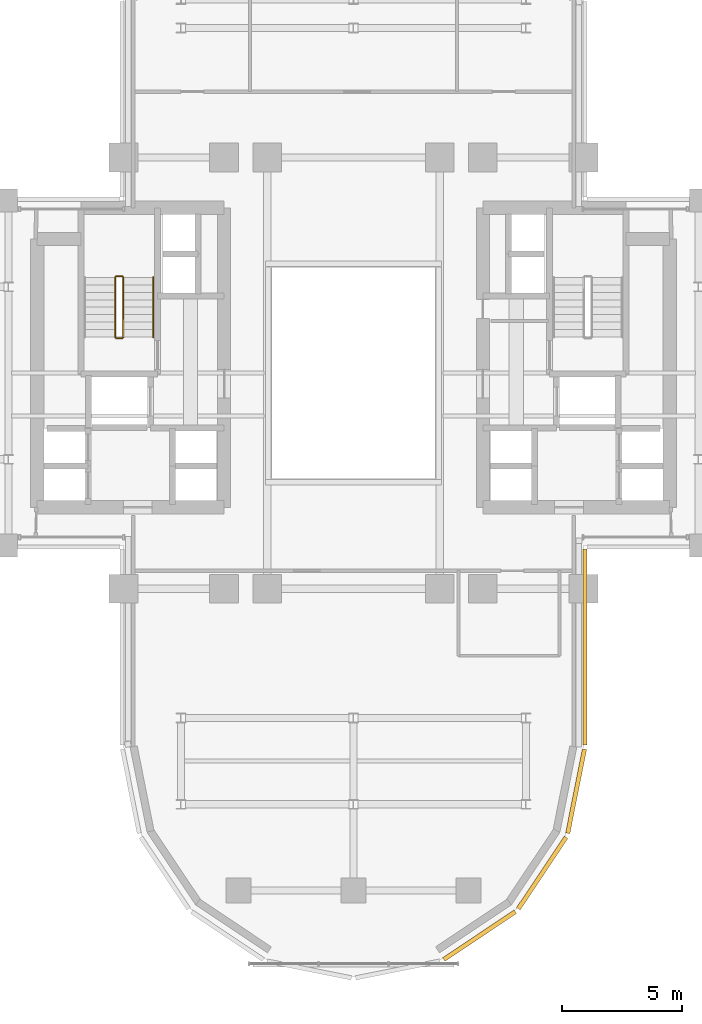
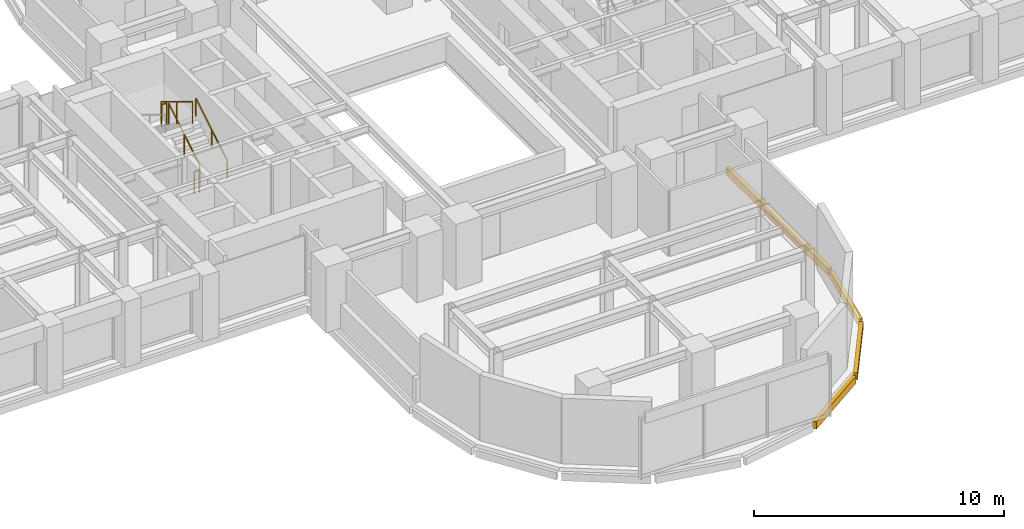
# One storey, part 14 of 16: 5 railings, 4 coverings.
"""IFC4 building model written with IfcOpenShell, lengths in metres."""

from ifc_helpers import new_model, si_unit, direction, frame, origin, origin_2d, place, context, subcontext, project, spatial, rectangle, extrude, source, transform, mapped, material, layer, layer_set, type_object, element, save


model = new_model("IFC4")

# Units and contexts
model_context = context("Model", 3, precision=1e-05, world=origin(), true_north=direction((0.0, 1.0)))
body_context = subcontext(model_context, "Body", "Model", "MODEL_VIEW")
ifc_project = project(units=[si_unit("LENGTHUNIT", "METRE"), si_unit("AREAUNIT", "SQUARE_METRE"), si_unit("VOLUMEUNIT", "CUBIC_METRE"), si_unit("PLANEANGLEUNIT", "RADIAN"), si_unit("MASSUNIT", "GRAM", prefix="KILO")], contexts=[model_context])

# Site, building, storey
site_placement = place(None, origin())
site = spatial("IfcSite", under=ifc_project, at=site_placement, CompositionType="ELEMENT")
building_placement = place(site_placement, origin())
building = spatial("IfcBuilding", under=site, at=building_placement, Name="Keilestroom Media Tower", CompositionType="ELEMENT")
storey_placement = place(building_placement, frame((0.0, 0.0, 61.199951171875)))
storey = spatial("IfcBuildingStorey", under=building, at=storey_placement, Name="L15", CompositionType="ELEMENT", Elevation=61.199951171875)

# Railings
ifc_material_1 = material(Name="Brushed Stainless Steel 1.4301", Category="steel")
railing_type_1 = type_object("IfcRailingType", Name="Stair-Pitch-Handrail-920", PredefinedType="HANDRAIL", material=ifc_material_1)
railing_1_placement = place(storey_placement, frame((-8.35009765625, 1.5, 0.18896484375)))
element("IfcRailing", 1, at=railing_1_placement, inside=storey, type_object=railing_type_1, Name="L15 ST-1 stair handrail 1", PredefinedType="HANDRAIL", context=body_context, shape_type="SweptSolid", body=[
    extrude(rectangle(XDim=0.048095703125, YDim=0.048095703125, at=origin_2d()), frame((0.0, 0.0, 0.8759765625), z_axis=(0.0, 0.855470815493, 0.517851024754), x_axis=(-1.0, 0.0, 0.0)), (0.0, 0.0, 1.0), 2.917724609375),
    extrude(rectangle(XDim=0.0419921875, YDim=0.0419921875, at=origin_2d()), origin(), (0.0, 0.0, 1.0), 0.84375),
    extrude(rectangle(XDim=0.0419921875, YDim=0.0419921875, at=origin_2d()), frame((0.0, 1.248046875, 0.75537109375)), (0.0, 0.0, 1.0), 0.84375),
    extrude(rectangle(XDim=0.0419921875, YDim=0.0419921875, at=origin_2d()), frame((0.0, 2.49609375, 1.510986328125)), (0.0, 0.0, 1.0), 0.84375),
])
ifc_material_2 = material(Name="Painted Steel Balustrade", Category="steel")
railing_type_2 = type_object("IfcRailingType", Name="Stair-Well-And-Landing-Guard-1100", PredefinedType="GUARDRAIL", material=ifc_material_2)
railing_2_placement = place(storey_placement, frame((-9.610107421875, 1.5, 0.18896484375)))
element("IfcRailing", 2, at=railing_2_placement, inside=storey, type_object=railing_type_2, Name="L15 ST-1 stair guard 1", PredefinedType="GUARDRAIL", context=body_context, shape_type="SweptSolid", body=[
    extrude(rectangle(XDim=0.048095703125, YDim=0.048095703125, at=origin_2d()), frame((0.0, 0.0, 1.076171875), z_axis=(0.0, 0.855470815493, 0.517851024754), x_axis=(-1.0, 0.0, 0.0)), (0.0, 0.0, 1.0), 2.917724609375),
    extrude(rectangle(XDim=0.0419921875, YDim=0.0419921875, at=origin_2d()), origin(), (0.0, 0.0, 1.0), 1.0439453125),
    extrude(rectangle(XDim=0.0419921875, YDim=0.0419921875, at=origin_2d()), frame((0.0, 1.248046875, 0.75537109375)), (0.0, 0.0, 1.0), 1.0439453125),
    extrude(rectangle(XDim=0.0419921875, YDim=0.0419921875, at=origin_2d()), frame((0.0, 2.49609375, 1.510986328125)), (0.0, 0.0, 1.0), 1.0439453125),
])
railing_3_placement = place(storey_placement, frame((-9.659912109375, 4.0458984375, 1.699951171875)))
element("IfcRailing", 3, at=railing_3_placement, inside=storey, type_object=railing_type_2, Name="L15 ST-1 stair guard 2", PredefinedType="GUARDRAIL", context=body_context, shape_type="SweptSolid", body=[
    extrude(rectangle(XDim=0.048095703125, YDim=0.048095703125, at=origin_2d()), frame((0.0, 0.0, 1.076171875), z_axis=(-1.0, 0.0, 0.0), x_axis=(0.0, -1.0, 0.0)), (0.0, 0.0, 1.0), 0.239990234375),
    extrude(rectangle(XDim=0.0419921875, YDim=0.0419921875, at=origin_2d()), origin(), (0.0, 0.0, 1.0), 1.0439453125),
    extrude(rectangle(XDim=0.0419921875, YDim=0.0419921875, at=origin_2d()), frame((-0.239990234375, 0.0, 0.0)), (0.0, 0.0, 1.0), 1.0439453125),
])
railing_4_placement = place(storey_placement, frame((-9.949951171875, 3.99609375, 1.888916015625)))
element("IfcRailing", 4, at=railing_4_placement, inside=storey, type_object=railing_type_2, Name="L15 ST-1 stair guard 3", PredefinedType="GUARDRAIL", context=body_context, shape_type="SweptSolid", body=[
    extrude(rectangle(XDim=0.048095703125, YDim=0.048095703125, at=origin_2d()), frame((0.0, 0.0, 1.076171875), z_axis=(0.0, -0.855433747314, 0.517912255074), x_axis=(1.0, 0.0, 0.0)), (0.0, 0.0, 1.0), 2.91796875),
    extrude(rectangle(XDim=0.0419921875, YDim=0.0419921875, at=origin_2d()), origin(), (0.0, 0.0, 1.0), 1.0439453125),
    extrude(rectangle(XDim=0.0419921875, YDim=0.0419921875, at=origin_2d()), frame((0.0, -1.248046875, 0.755615234375)), (0.0, 0.0, 1.0), 1.0439453125),
    extrude(rectangle(XDim=0.0419921875, YDim=0.0419921875, at=origin_2d()), frame((0.0, -2.49609375, 1.51123046875)), (0.0, 0.0, 1.0), 1.0439453125),
])
railing_5_placement = place(storey_placement, frame((-9.659912109375, 1.449951171875, 0.0)))
element("IfcRailing", 5, at=railing_5_placement, inside=storey, type_object=railing_type_2, Name="L15 ST-1 stair guard 4", PredefinedType="GUARDRAIL", context=body_context, shape_type="SweptSolid", body=[
    extrude(rectangle(XDim=0.048095703125, YDim=0.048095703125, at=origin_2d()), frame((0.0, 0.0, 1.076171875), z_axis=(-1.0, 0.0, 0.0), x_axis=(0.0, -1.0, 0.0)), (0.0, 0.0, 1.0), 0.239990234375),
    extrude(rectangle(XDim=0.0419921875, YDim=0.0419921875, at=origin_2d()), origin(), (0.0, 0.0, 1.0), 1.0439453125),
    extrude(rectangle(XDim=0.0419921875, YDim=0.0419921875, at=origin_2d()), frame((-0.239990234375, 0.0, 0.0)), (0.0, 0.0, 1.0), 1.0439453125),
])

# Coverings
ifc_material_3 = material(Name="Precast concrete C40/50", Category="concrete")
ifc_layer = layer(ifc_material_3, 0.1201171875)
ifc_layer_set = layer_set([ifc_layer], Name="Precast concrete C40/50")
covering_type = type_object("IfcCoveringType", Name="Exterior-Precast-Spandrel-Cladding-Panel-120", PredefinedType="CLADDING", material=ifc_layer_set)
shared_shape_1 = source(origin(), body_context, "Body", "SweptSolid", [
    extrude(rectangle(XDim=8.166015625, YDim=0.179931640625, at=origin_2d()), origin(), (0.0, 0.0, 1.0), 0.360107421875),
])
covering_1_placement = place(storey_placement, frame((9.659912109375, -11.43310546875, -0.5400390625), z_axis=(0.0, 0.0, 1.0), x_axis=(0.0, -1.0, 0.0)))
element("IfcCovering", 6, at=covering_1_placement, inside=storey, type_object=covering_type, Name="L15 Precast Slab-Edge Fascia Cornice 06", PredefinedType="CLADDING", context=body_context, shape_type="MappedRepresentation", body=[
    mapped(shared_shape_1, transform((0.0, 0.0, 0.0), x_axis=(1.0, 0.0, 0.0), y_axis=(0.0, 1.0, 0.0), z_axis=(0.0, 0.0, 1.0), scale=1.0)),
])
shared_shape_2 = source(origin(), body_context, "Body", "SweptSolid", [
    extrude(rectangle(XDim=3.58349609375, YDim=0.179931640625, at=origin_2d()), origin(), (0.0, 0.0, 1.0), 0.360107421875),
])
covering_2_placement = place(storey_placement, frame((9.29296875, -17.45166015625, -0.5400390625), z_axis=(0.0, 0.0, 1.0), x_axis=(-0.195098880975, -0.980783577882, 0.0)))
element("IfcCovering", 7, at=covering_2_placement, inside=storey, type_object=covering_type, Name="L15 Precast Slab-Edge Fascia Cornice 07", PredefinedType="CLADDING", context=body_context, shape_type="MappedRepresentation", body=[
    mapped(shared_shape_2, transform((0.0, 0.0, 0.0), x_axis=(1.0, 0.0, 0.0), y_axis=(0.0, 1.0, 0.0), z_axis=(0.0, 0.0, 1.0), scale=1.0)),
])
shared_shape_3 = source(origin(), body_context, "Body", "SweptSolid", [
    extrude(rectangle(XDim=3.589599609375, YDim=0.179931640625, at=origin_2d()), origin(), (0.0, 0.0, 1.0), 0.360107421875),
])
for number, where, z_axis, x_axis, name in (
    (8, (7.878662109375, -20.8642578125, -0.5400390625), (0.0, 0.0, 1.0), (-0.555574586577, -0.831466703332, 0.0), "L15 Precast Slab-Edge Fascia Cornice 08"),
    (9, (5.264404296875, -23.478515625, -0.5400390625), (0.0, 0.0, 1.0), (-0.831466703332, -0.555574586577, 0.0), "L15 Precast Slab-Edge Fascia Cornice 09"),
):
    element("IfcCovering", number, at=place(storey_placement, frame(where, z_axis=z_axis, x_axis=x_axis)), inside=storey, type_object=covering_type, Name=name, PredefinedType="CLADDING", context=body_context, shape_type="MappedRepresentation", body=[
        mapped(shared_shape_3, transform((0.0, 0.0, 0.0), x_axis=(1.0, 0.0, 0.0), y_axis=(0.0, 1.0, 0.0), z_axis=(0.0, 0.0, 1.0), scale=1.0)),
    ])

save(model, "model.ifc")
